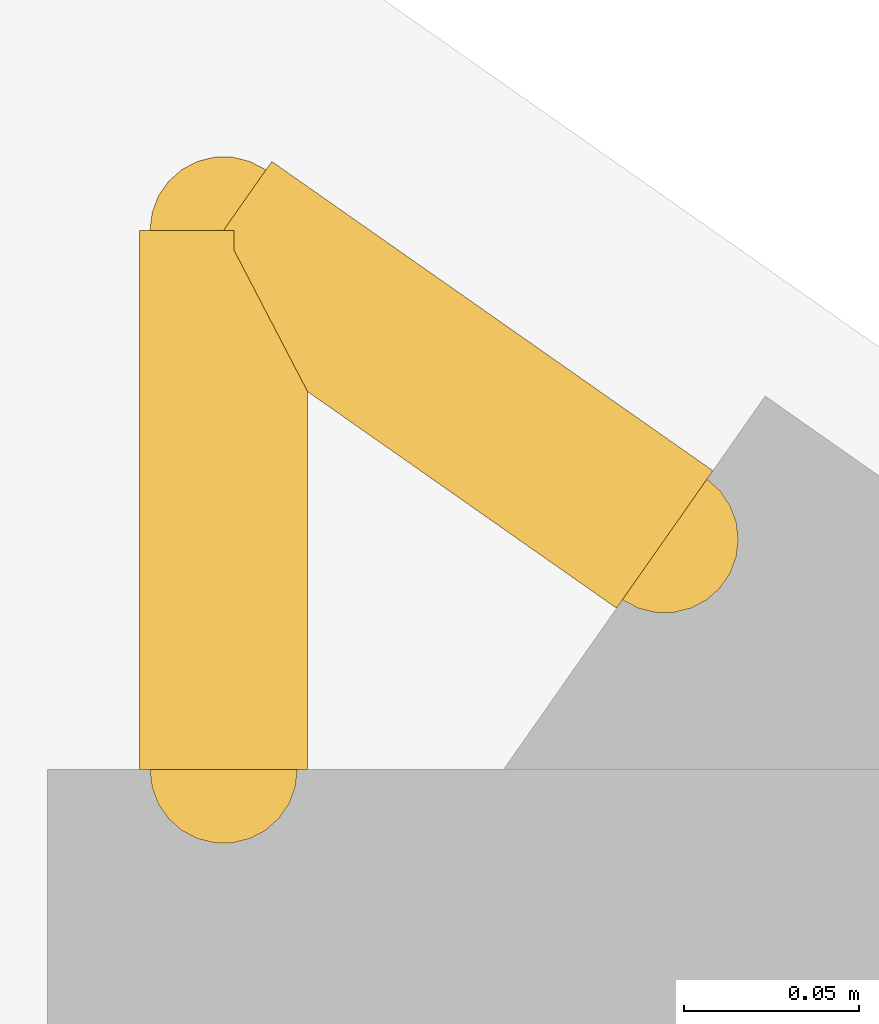
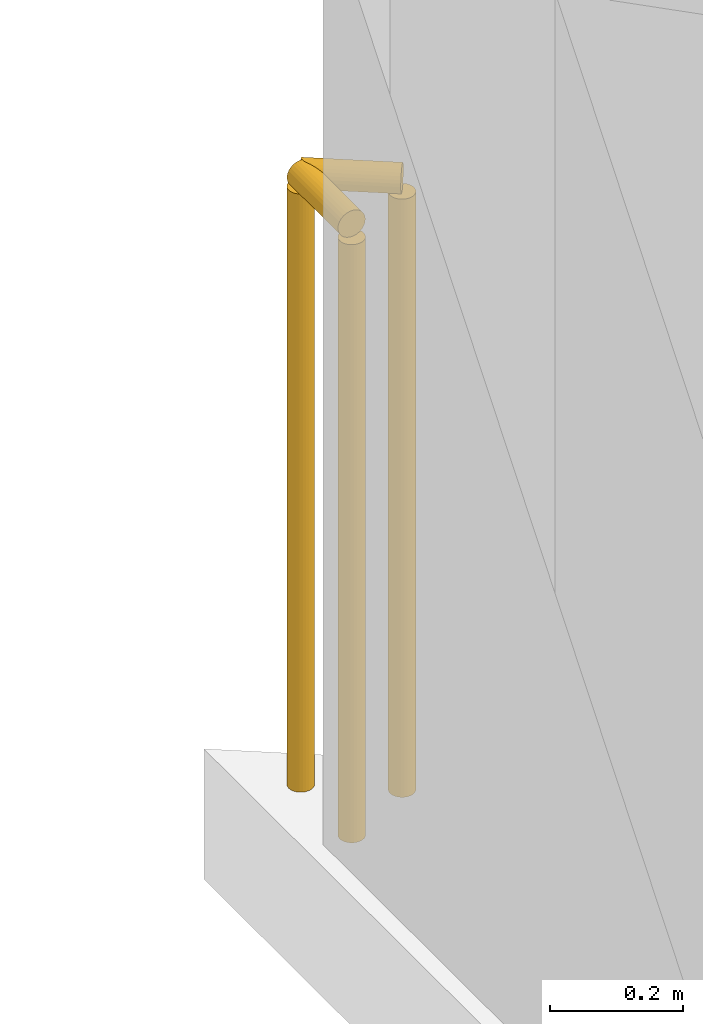
# One storey, part 15 of 15: 2 railings.
"""IFC4 building model written with IfcOpenShell, lengths in metres."""

from ifc_helpers import new_model, si_unit, direction, frame, origin, origin_2d, place, context, subcontext, project, spatial, circle, extrude, material, type_object, element, save


model = new_model("IFC4")

# Units and contexts
model_context = context("Model", 3, precision=1e-05, world=origin(), true_north=direction((0.0, 1.0)))
body_context = subcontext(model_context, "Body", "Model", "MODEL_VIEW")
ifc_project = project(units=[si_unit("LENGTHUNIT", "METRE"), si_unit("AREAUNIT", "SQUARE_METRE"), si_unit("VOLUMEUNIT", "CUBIC_METRE"), si_unit("PLANEANGLEUNIT", "RADIAN"), si_unit("MASSUNIT", "GRAM", prefix="KILO")], contexts=[model_context])

# Site, building, storey
site_placement = place(None, origin())
site = spatial("IfcSite", under=ifc_project, at=site_placement, CompositionType="ELEMENT")
building_placement = place(site_placement, origin())
building = spatial("IfcBuilding", under=site, at=building_placement, Name="Varnakote Quay Hospital", CompositionType="ELEMENT")
storey_placement = place(building_placement, frame((0.0, 0.0, 196.050048828125)))
storey = spatial("IfcBuildingStorey", under=building, at=storey_placement, Name="L48", CompositionType="ELEMENT", Elevation=196.050048828125)

# Railings
ifc_material = material(Name="Anodised aluminium 6063-T6 Bronze", Category="aluminium")
railing_type = type_object("IfcRailingType", Name="RLG-EXT-GUARD-1150", PredefinedType="GUARDRAIL", material=ifc_material)
railing_1_placement = place(storey_placement, frame((2.580078125, 42.492431640625, 0.0)))
element("IfcRailing", 1, at=railing_1_placement, inside=storey, type_object=railing_type, Name="L48 Slab Edge Perimeter Safety Guard", PredefinedType="GUARDRAIL", context=body_context, shape_type="SweptSolid", body=[
    extrude(circle(Radius=0.02392578125, at=origin_2d()), frame((0.0, 0.0, 1.1259765625), z_axis=(0.0, 1.0, 0.0), x_axis=(-1.0, 0.0, 0.0)), (0.0, 0.0, 1.0), 0.15380859375),
    extrude(circle(Radius=0.02099609375, at=origin_2d()), origin(), (0.0, 0.0, 1.0), 1.101806640625),
    extrude(circle(Radius=0.02099609375, at=origin_2d()), frame((0.0, 0.15380859375, 0.0)), (0.0, 0.0, 1.0), 1.101806640625),
])
railing_2_placement = place(storey_placement, frame((2.580078125, 42.646240234375, 0.0)))
element("IfcRailing", 2, at=railing_2_placement, inside=storey, type_object=railing_type, Name="L48 Slab Edge Perimeter Safety Guard", PredefinedType="GUARDRAIL", context=body_context, shape_type="SweptSolid", body=[
    extrude(circle(Radius=0.02392578125, at=origin_2d()), frame((0.0, 0.0, 1.1259765625), z_axis=(0.818858253068, -0.57399578516, 0.0), x_axis=(0.57399578516, 0.818858253068, 0.0)), (0.0, 0.0, 1.0), 0.153564453125),
    extrude(circle(Radius=0.02099609375, at=origin_2d()), origin(), (0.0, 0.0, 1.0), 1.101806640625),
    extrude(circle(Radius=0.02099609375, at=origin_2d()), frame((0.125732421875, -0.088134765625, 0.0)), (0.0, 0.0, 1.0), 1.101806640625),
])

save(model, "model.ifc")
